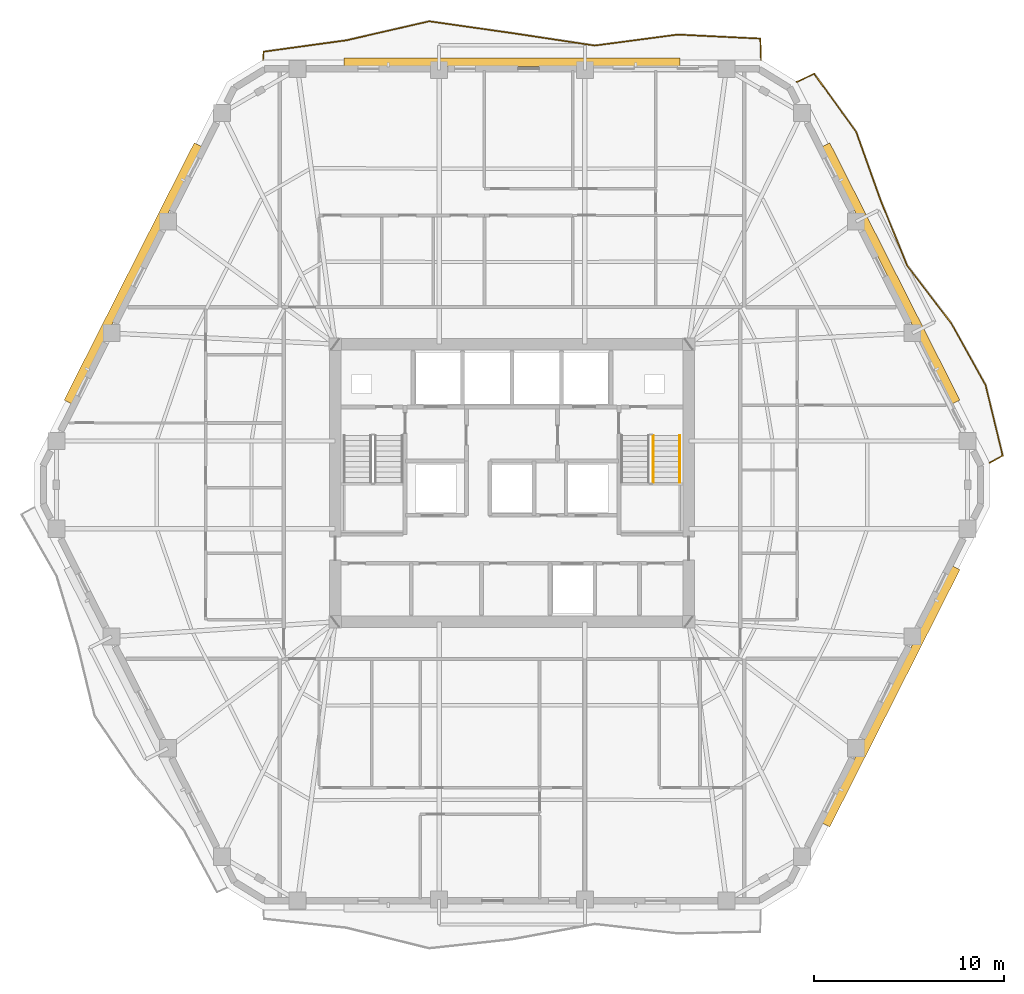
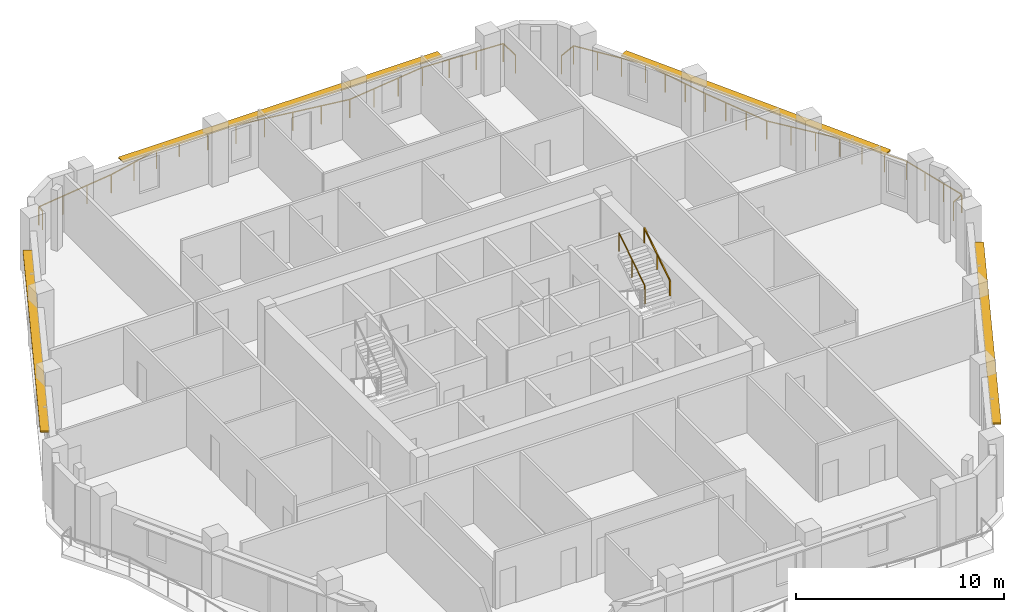
# One storey, part 12 of 12: 4 railings, 4 shading devices.
"""IFC4 building model written with IfcOpenShell, lengths in metres."""

from ifc_helpers import new_model, si_unit, direction, frame, origin, origin_2d, place, context, subcontext, project, spatial, rectangle, extrude, material, layer, layer_set, type_object, element, save


model = new_model("IFC4")

# Units and contexts
model_context = context("Model", 3, precision=1e-05, world=origin(), true_north=direction((0.0, 1.0)))
body_context = subcontext(model_context, "Body", "Model", "MODEL_VIEW")
ifc_project = project(units=[si_unit("LENGTHUNIT", "METRE"), si_unit("AREAUNIT", "SQUARE_METRE"), si_unit("VOLUMEUNIT", "CUBIC_METRE"), si_unit("PLANEANGLEUNIT", "RADIAN"), si_unit("MASSUNIT", "GRAM", prefix="KILO")], contexts=[model_context])

# Site, building, storey
site_placement = place(None, origin())
site = spatial("IfcSite", under=ifc_project, at=site_placement, CompositionType="ELEMENT")
building_placement = place(site_placement, origin())
building = spatial("IfcBuilding", under=site, at=building_placement, Name="Cinnabar Lancet Tower", CompositionType="ELEMENT")
storey_placement = place(building_placement, frame((0.0, 0.0, 153.5)))
storey = spatial("IfcBuildingStorey", under=building, at=storey_placement, Name="L40", CompositionType="ELEMENT", Elevation=153.5)

# Railings
ifc_material_1 = material(Name="Laminated safety glass and bronze stainless steel balustrade", Category="steel")
railing_type_1 = type_object("IfcRailingType", Name="ENV-RLG-BAL-1100", PredefinedType="BALUSTRADE", material=ifc_material_1)
railing_1_placement = place(storey_placement, frame((57.512939453125, 26.9599609375, 0.0)))
element("IfcRailing", 1, at=railing_1_placement, inside=storey, type_object=railing_type_1, Name="L40 Face 3 Wave Balcony Balustrade", PredefinedType="BALUSTRADE", context=body_context, shape_type="SweptSolid", body=[
    extrude(rectangle(XDim=0.048095703125, YDim=0.048095703125, at=origin_2d()), frame((0.0, 0.0, 1.076171875), z_axis=(0.875595888351, 0.483044346104, 0.0), x_axis=(-0.483044346104, 0.875595888351, 0.0)), (0.0, 0.0, 1.0), 0.782470703125),
    extrude(rectangle(XDim=0.048095703125, YDim=0.048095703125, at=origin_2d()), frame((0.68505859375, 0.3779296875, 1.076171875), z_axis=(-0.235904511492, 0.971776240427, 0.0), x_axis=(-0.971776240427, -0.235904511492, 0.0)), (0.0, 0.0, 1.0), 3.832275390625),
    extrude(rectangle(XDim=0.048095703125, YDim=0.048095703125, at=origin_2d()), frame((-0.218994140625, 4.10205078125, 1.076171875), z_axis=(-0.486802649979, 0.873511980441, 0.0), x_axis=(-0.873511980441, -0.486802649979, 0.0)), (0.0, 0.0, 1.0), 3.734375),
    extrude(rectangle(XDim=0.048095703125, YDim=0.048095703125, at=origin_2d()), frame((-2.036865234375, 7.364013671875, 1.076171875), z_axis=(-0.607161106666, 0.794578750378, 0.0), x_axis=(-0.794578750378, -0.607161106666, 0.0)), (0.0, 0.0, 1.0), 3.794677734375),
    extrude(rectangle(XDim=0.048095703125, YDim=0.048095703125, at=origin_2d()), frame((-4.3408203125, 10.379150390625, 1.076171875), z_axis=(-0.376130405928, 0.926566736796, 0.0), x_axis=(-0.926566736796, -0.376130405928, 0.0)), (0.0, 0.0, 1.0), 3.743896484375),
    extrude(rectangle(XDim=0.048095703125, YDim=0.048095703125, at=origin_2d()), frame((-5.7490234375, 13.84814453125, 1.076171875), z_axis=(-0.336229506244, 0.941780080025, 0.0), x_axis=(-0.941780080025, -0.336229506244, 0.0)), (0.0, 0.0, 1.0), 3.761962890625),
    extrude(rectangle(XDim=0.048095703125, YDim=0.048095703125, at=origin_2d()), frame((-7.013916015625, 17.39111328125, 1.076171875), z_axis=(-0.585448085386, 0.810709898372, 0.0), x_axis=(-0.810709898372, -0.585448085386, 0.0)), (0.0, 0.0, 1.0), 3.778076171875),
    extrude(rectangle(XDim=0.048095703125, YDim=0.048095703125, at=origin_2d()), frame((-9.225830078125, 20.4541015625, 1.076171875), z_axis=(-0.906089778087, -0.423085468962, 0.0), x_axis=(0.423085468962, -0.906089778087, 0.0)), (0.0, 0.0, 1.0), 1.00244140625),
    extrude(rectangle(XDim=0.0419921875, YDim=0.0419921875, at=origin_2d()), origin(), (0.0, 0.0, 1.0), 1.052001953125),
    extrude(rectangle(XDim=0.0419921875, YDim=0.0419921875, at=origin_2d()), frame((0.68505859375, 0.3779296875, 0.0)), (0.0, 0.0, 1.0), 1.052001953125),
    extrude(rectangle(XDim=0.0419921875, YDim=0.0419921875, at=origin_2d()), frame((0.3837890625, 1.619384765625, 0.0)), (0.0, 0.0, 1.0), 1.052001953125),
    extrude(rectangle(XDim=0.0419921875, YDim=0.0419921875, at=origin_2d()), frame((0.082275390625, 2.860595703125, 0.0)), (0.0, 0.0, 1.0), 1.052001953125),
    extrude(rectangle(XDim=0.0419921875, YDim=0.0419921875, at=origin_2d()), frame((-0.218994140625, 4.10205078125, 0.0)), (0.0, 0.0, 1.0), 1.052001953125),
    extrude(rectangle(XDim=0.0419921875, YDim=0.0419921875, at=origin_2d()), frame((-0.824951171875, 5.189453125, 0.0)), (0.0, 0.0, 1.0), 1.052001953125),
    extrude(rectangle(XDim=0.0419921875, YDim=0.0419921875, at=origin_2d()), frame((-1.430908203125, 6.276611328125, 0.0)), (0.0, 0.0, 1.0), 1.052001953125),
    extrude(rectangle(XDim=0.0419921875, YDim=0.0419921875, at=origin_2d()), frame((-2.036865234375, 7.364013671875, 0.0)), (0.0, 0.0, 1.0), 1.052001953125),
    extrude(rectangle(XDim=0.0419921875, YDim=0.0419921875, at=origin_2d()), frame((-2.804931640625, 8.369140625, 0.0)), (0.0, 0.0, 1.0), 1.052001953125),
    extrude(rectangle(XDim=0.0419921875, YDim=0.0419921875, at=origin_2d()), frame((-3.57275390625, 9.3740234375, 0.0)), (0.0, 0.0, 1.0), 1.052001953125),
    extrude(rectangle(XDim=0.0419921875, YDim=0.0419921875, at=origin_2d()), frame((-4.3408203125, 10.379150390625, 0.0)), (0.0, 0.0, 1.0), 1.052001953125),
    extrude(rectangle(XDim=0.0419921875, YDim=0.0419921875, at=origin_2d()), frame((-4.810302734375, 11.535400390625, 0.0)), (0.0, 0.0, 1.0), 1.052001953125),
    extrude(rectangle(XDim=0.0419921875, YDim=0.0419921875, at=origin_2d()), frame((-5.279541015625, 12.69189453125, 0.0)), (0.0, 0.0, 1.0), 1.052001953125),
    extrude(rectangle(XDim=0.0419921875, YDim=0.0419921875, at=origin_2d()), frame((-5.7490234375, 13.84814453125, 0.0)), (0.0, 0.0, 1.0), 1.052001953125),
    extrude(rectangle(XDim=0.0419921875, YDim=0.0419921875, at=origin_2d()), frame((-6.170654296875, 15.029052734375, 0.0)), (0.0, 0.0, 1.0), 1.052001953125),
    extrude(rectangle(XDim=0.0419921875, YDim=0.0419921875, at=origin_2d()), frame((-6.59228515625, 16.210205078125, 0.0)), (0.0, 0.0, 1.0), 1.052001953125),
    extrude(rectangle(XDim=0.0419921875, YDim=0.0419921875, at=origin_2d()), frame((-7.013916015625, 17.39111328125, 0.0)), (0.0, 0.0, 1.0), 1.052001953125),
    extrude(rectangle(XDim=0.0419921875, YDim=0.0419921875, at=origin_2d()), frame((-7.751220703125, 18.412109375, 0.0)), (0.0, 0.0, 1.0), 1.052001953125),
    extrude(rectangle(XDim=0.0419921875, YDim=0.0419921875, at=origin_2d()), frame((-8.488525390625, 19.43310546875, 0.0)), (0.0, 0.0, 1.0), 1.052001953125),
    extrude(rectangle(XDim=0.0419921875, YDim=0.0419921875, at=origin_2d()), frame((-9.225830078125, 20.4541015625, 0.0)), (0.0, 0.0, 1.0), 1.052001953125),
    extrude(rectangle(XDim=0.0419921875, YDim=0.0419921875, at=origin_2d()), frame((-10.134033203125, 20.030029296875, 0.0)), (0.0, 0.0, 1.0), 1.052001953125),
])
railing_2_placement = place(storey_placement, frame((45.491943359375, 48.14990234375, 0.0)))
element("IfcRailing", 2, at=railing_2_placement, inside=storey, type_object=railing_type_1, Name="L40 Face 4 Wave Balcony Balustrade", PredefinedType="BALUSTRADE", context=body_context, shape_type="SweptSolid", body=[
    extrude(rectangle(XDim=0.048095703125, YDim=0.048095703125, at=origin_2d()), frame((0.0, 0.0, 1.076171875), z_axis=(-0.030474981061, 0.999535529898, 0.0), x_axis=(-0.999535529898, -0.030474981061, 0.0)), (0.0, 0.0, 1.0), 1.113525390625),
    extrude(rectangle(XDim=0.048095703125, YDim=0.048095703125, at=origin_2d()), frame((-0.033935546875, 1.113037109375, 1.076171875), z_axis=(-0.998814942284, 0.048669405901, 0.0), x_axis=(-0.048669405901, -0.998814942284, 0.0)), (0.0, 0.0, 1.0), 4.359130859375),
    extrude(rectangle(XDim=0.048095703125, YDim=0.048095703125, at=origin_2d()), frame((-4.387939453125, 1.3251953125, 1.076171875), z_axis=(-0.991324748702, -0.131435317214, 0.0), x_axis=(0.131435317214, -0.991324748702, 0.0)), (0.0, 0.0, 1.0), 4.39111328125),
    extrude(rectangle(XDim=0.048095703125, YDim=0.048095703125, at=origin_2d()), frame((-8.740966796875, 0.748046875, 1.076171875), z_axis=(-0.9888245641, 0.149083806741, 0.0), x_axis=(-0.149083806741, -0.9888245641, 0.0)), (0.0, 0.0, 1.0), 4.400146484375),
    extrude(rectangle(XDim=0.048095703125, YDim=0.048095703125, at=origin_2d()), frame((-13.092041015625, 1.404052734375, 1.076171875), z_axis=(-0.990030421771, 0.140853697033, 0.0), x_axis=(-0.140853697033, -0.990030421771, 0.0)), (0.0, 0.0, 1.0), 4.3955078125),
    extrude(rectangle(XDim=0.048095703125, YDim=0.048095703125, at=origin_2d()), frame((-17.44384765625, 2.023193359375, 1.076171875), z_axis=(-0.974698079502, -0.223525510434, 0.0), x_axis=(0.223525510434, -0.974698079502, 0.0)), (0.0, 0.0, 1.0), 4.465087890625),
    extrude(rectangle(XDim=0.048095703125, YDim=0.048095703125, at=origin_2d()), frame((-21.7958984375, 1.025146484375, 1.076171875), z_axis=(-0.99069102041, -0.136129725183, 0.0), x_axis=(0.136129725183, -0.99069102041, 0.0)), (0.0, 0.0, 1.0), 4.39404296875),
    extrude(rectangle(XDim=0.048095703125, YDim=0.048095703125, at=origin_2d()), frame((-26.14892578125, 0.427001953125, 1.076171875), z_axis=(-0.081489088305, -0.996674233883, 0.0), x_axis=(0.996674233883, -0.081489088305, 0.0)), (0.0, 0.0, 1.0), 0.428466796875),
    extrude(rectangle(XDim=0.0419921875, YDim=0.0419921875, at=origin_2d()), origin(), (0.0, 0.0, 1.0), 1.052001953125),
    extrude(rectangle(XDim=0.0419921875, YDim=0.0419921875, at=origin_2d()), frame((-0.033935546875, 1.113037109375, 0.0)), (0.0, 0.0, 1.0), 1.052001953125),
    extrude(rectangle(XDim=0.0419921875, YDim=0.0419921875, at=origin_2d()), frame((-1.4853515625, 1.183837890625, 0.0)), (0.0, 0.0, 1.0), 1.052001953125),
    extrude(rectangle(XDim=0.0419921875, YDim=0.0419921875, at=origin_2d()), frame((-2.9365234375, 1.25439453125, 0.0)), (0.0, 0.0, 1.0), 1.052001953125),
    extrude(rectangle(XDim=0.0419921875, YDim=0.0419921875, at=origin_2d()), frame((-4.387939453125, 1.3251953125, 0.0)), (0.0, 0.0, 1.0), 1.052001953125),
    extrude(rectangle(XDim=0.0419921875, YDim=0.0419921875, at=origin_2d()), frame((-5.8388671875, 1.1328125, 0.0)), (0.0, 0.0, 1.0), 1.052001953125),
    extrude(rectangle(XDim=0.0419921875, YDim=0.0419921875, at=origin_2d()), frame((-7.2900390625, 0.9404296875, 0.0)), (0.0, 0.0, 1.0), 1.052001953125),
    extrude(rectangle(XDim=0.0419921875, YDim=0.0419921875, at=origin_2d()), frame((-8.740966796875, 0.748046875, 0.0)), (0.0, 0.0, 1.0), 1.052001953125),
    extrude(rectangle(XDim=0.0419921875, YDim=0.0419921875, at=origin_2d()), frame((-10.19140625, 0.966796875, 0.0)), (0.0, 0.0, 1.0), 1.052001953125),
    extrude(rectangle(XDim=0.0419921875, YDim=0.0419921875, at=origin_2d()), frame((-11.6416015625, 1.185302734375, 0.0)), (0.0, 0.0, 1.0), 1.052001953125),
    extrude(rectangle(XDim=0.0419921875, YDim=0.0419921875, at=origin_2d()), frame((-13.092041015625, 1.404052734375, 0.0)), (0.0, 0.0, 1.0), 1.052001953125),
    extrude(rectangle(XDim=0.0419921875, YDim=0.0419921875, at=origin_2d()), frame((-14.542724609375, 1.6103515625, 0.0)), (0.0, 0.0, 1.0), 1.052001953125),
    extrude(rectangle(XDim=0.0419921875, YDim=0.0419921875, at=origin_2d()), frame((-15.9931640625, 1.81689453125, 0.0)), (0.0, 0.0, 1.0), 1.052001953125),
    extrude(rectangle(XDim=0.0419921875, YDim=0.0419921875, at=origin_2d()), frame((-17.44384765625, 2.023193359375, 0.0)), (0.0, 0.0, 1.0), 1.052001953125),
    extrude(rectangle(XDim=0.0419921875, YDim=0.0419921875, at=origin_2d()), frame((-18.89453125, 1.6904296875, 0.0)), (0.0, 0.0, 1.0), 1.052001953125),
    extrude(rectangle(XDim=0.0419921875, YDim=0.0419921875, at=origin_2d()), frame((-20.34521484375, 1.35791015625, 0.0)), (0.0, 0.0, 1.0), 1.052001953125),
    extrude(rectangle(XDim=0.0419921875, YDim=0.0419921875, at=origin_2d()), frame((-21.7958984375, 1.025146484375, 0.0)), (0.0, 0.0, 1.0), 1.052001953125),
    extrude(rectangle(XDim=0.0419921875, YDim=0.0419921875, at=origin_2d()), frame((-23.246826171875, 0.82568359375, 0.0)), (0.0, 0.0, 1.0), 1.052001953125),
    extrude(rectangle(XDim=0.0419921875, YDim=0.0419921875, at=origin_2d()), frame((-24.697998046875, 0.62646484375, 0.0)), (0.0, 0.0, 1.0), 1.052001953125),
    extrude(rectangle(XDim=0.0419921875, YDim=0.0419921875, at=origin_2d()), frame((-26.14892578125, 0.427001953125, 0.0)), (0.0, 0.0, 1.0), 1.052001953125),
    extrude(rectangle(XDim=0.0419921875, YDim=0.0419921875, at=origin_2d()), frame((-26.183837890625, 0.0, 0.0)), (0.0, 0.0, 1.0), 1.052001953125),
])

# Shading devices
ifc_material_2 = material(Name="Pale limestone architectural aluminium sunshade", Category="masonry")
ifc_layer = layer(ifc_material_2, 0.080078125)
ifc_layer_set = layer_set([ifc_layer], Name="Pale limestone architectural aluminium sunshade")
shading_device_type = type_object("IfcShadingDeviceType", Name="ENV-SHD-LVR-450", PredefinedType="JALOUSIE", material=ifc_layer_set)
for number, where, z_axis, x_axis, name in (
    (3, (52.327880859375, 14.680908203125, 2.639892578125), (0.0, 0.0, 1.0), (0.451453853408, 0.892294468347, 0.0), "L40 Face 2 Horizontal Sunshade Canopy"),
    (4, (52.327880859375, 36.9189453125, 2.639892578125), (0.0, 0.0, 1.0), (-0.451453853408, 0.892294468347, 0.0), "L40 Face 3 Horizontal Sunshade Canopy"),
):
    element("IfcShadingDevice", number, at=place(storey_placement, frame(where, z_axis=z_axis, x_axis=x_axis)), inside=storey, type_object=shading_device_type, Name=name, PredefinedType="JALOUSIE", context=body_context, shape_type="SweptSolid", body=[
        extrude(rectangle(XDim=15.156982421875, YDim=0.449951171875, at=origin_2d()), origin(), (0.0, 0.0, 1.0), 0.080078125),
    ])
shading_device_1_placement = place(storey_placement, frame((32.39990234375, 48.02001953125, 2.639892578125), z_axis=(0.0, 0.0, 1.0), x_axis=(-1.0, 0.0, 0.0)))
element("IfcShadingDevice", 5, at=shading_device_1_placement, inside=storey, type_object=shading_device_type, Name="L40 Face 4 Horizontal Sunshade Canopy", PredefinedType="JALOUSIE", context=body_context, shape_type="SweptSolid", body=[
    extrude(rectangle(XDim=17.68310546875, YDim=0.449951171875, at=origin_2d()), origin(), (0.0, 0.0, 1.0), 0.080078125),
])
shading_device_2_placement = place(storey_placement, frame((12.471923828125, 36.9189453125, 2.639892578125), z_axis=(0.0, 0.0, 1.0), x_axis=(-0.451453853408, -0.892294468347, 0.0)))
element("IfcShadingDevice", 6, at=shading_device_2_placement, inside=storey, type_object=shading_device_type, Name="L40 Face 5 Horizontal Sunshade Canopy", PredefinedType="JALOUSIE", context=body_context, shape_type="SweptSolid", body=[
    extrude(rectangle(XDim=15.156982421875, YDim=0.449951171875, at=origin_2d()), origin(), (0.0, 0.0, 1.0), 0.080078125),
])

# Railings
ifc_material_3 = material(Name="Painted galvanized steel balustrade", Category="steel")
railing_type_2 = type_object("IfcRailingType", Name="GUARD-STAIR", PredefinedType="GUARDRAIL", material=ifc_material_3)
railing_3_placement = place(storey_placement, frame((39.824951171875, 25.925048828125, 1.952392578125)))
element("IfcRailing", 7, at=railing_3_placement, inside=storey, type_object=railing_type_2, Name="L40 ST-2 stair guard 3", PredefinedType="GUARDRAIL", context=body_context, shape_type="SweptSolid", body=[
    extrude(rectangle(XDim=0.048095703125, YDim=0.048095703125, at=origin_2d()), frame((0.0, 0.0, 1.076171875), z_axis=(0.0, 0.84014559416, 0.542360932049), x_axis=(-1.0, 0.0, 0.0)), (0.0, 0.0, 1.0), 2.94580078125),
    extrude(rectangle(XDim=0.0419921875, YDim=0.0419921875, at=origin_2d()), origin(), (0.0, 0.0, 1.0), 1.052001953125),
    extrude(rectangle(XDim=0.0419921875, YDim=0.0419921875, at=origin_2d()), frame((0.0, 1.2373046875, 0.798828125)), (0.0, 0.0, 1.0), 1.052001953125),
    extrude(rectangle(XDim=0.0419921875, YDim=0.0419921875, at=origin_2d()), frame((0.0, 2.474853515625, 1.59765625)), (0.0, 0.0, 1.0), 1.052001953125),
])
ifc_material_4 = material(Name="Brushed stainless steel handrail", Category="steel")
railing_type_3 = type_object("IfcRailingType", Name="HANDRAIL-STAIR", PredefinedType="HANDRAIL", material=ifc_material_4)
railing_4_placement = place(storey_placement, frame((41.22509765625, 25.925048828125, 1.952392578125)))
element("IfcRailing", 8, at=railing_4_placement, inside=storey, type_object=railing_type_3, Name="L40 ST-2 stair handrail 2", PredefinedType="HANDRAIL", context=body_context, shape_type="SweptSolid", body=[
    extrude(rectangle(XDim=0.048095703125, YDim=0.048095703125, at=origin_2d()), frame((0.0, 0.0, 0.8759765625), z_axis=(0.0, 0.84014559416, 0.542360932049), x_axis=(-1.0, 0.0, 0.0)), (0.0, 0.0, 1.0), 2.94580078125),
    extrude(rectangle(XDim=0.0419921875, YDim=0.0419921875, at=origin_2d()), origin(), (0.0, 0.0, 1.0), 0.851806640625),
    extrude(rectangle(XDim=0.0419921875, YDim=0.0419921875, at=origin_2d()), frame((0.0, 1.2373046875, 0.798828125)), (0.0, 0.0, 1.0), 0.851806640625),
    extrude(rectangle(XDim=0.0419921875, YDim=0.0419921875, at=origin_2d()), frame((0.0, 2.474853515625, 1.59765625)), (0.0, 0.0, 1.0), 0.851806640625),
])

save(model, "model.ifc")
